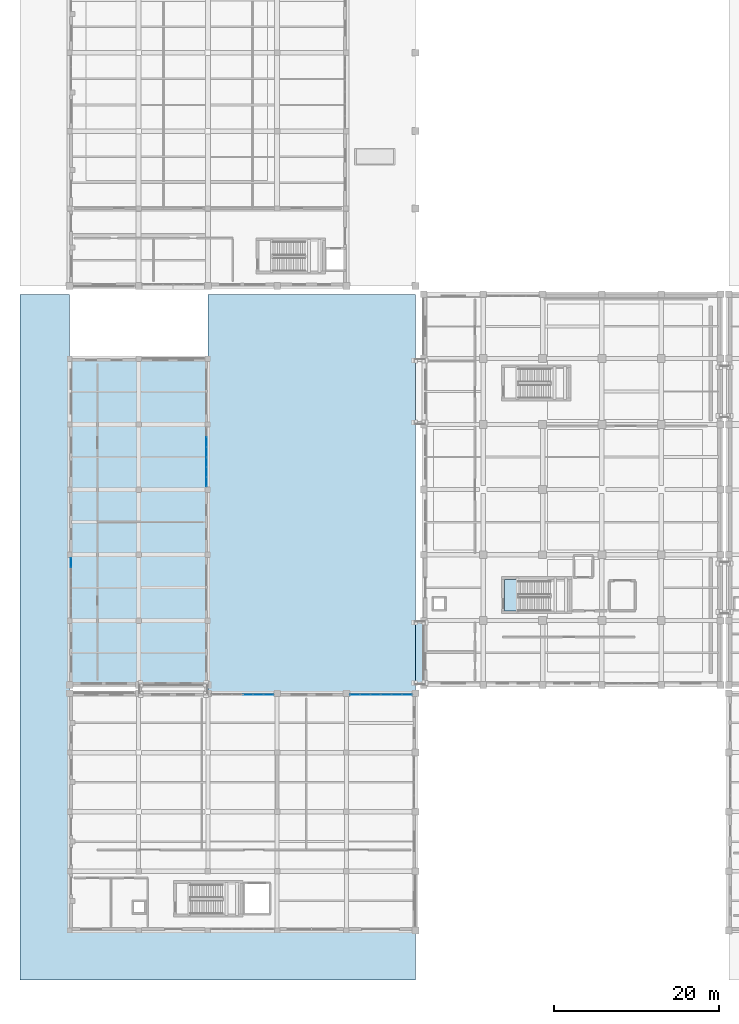
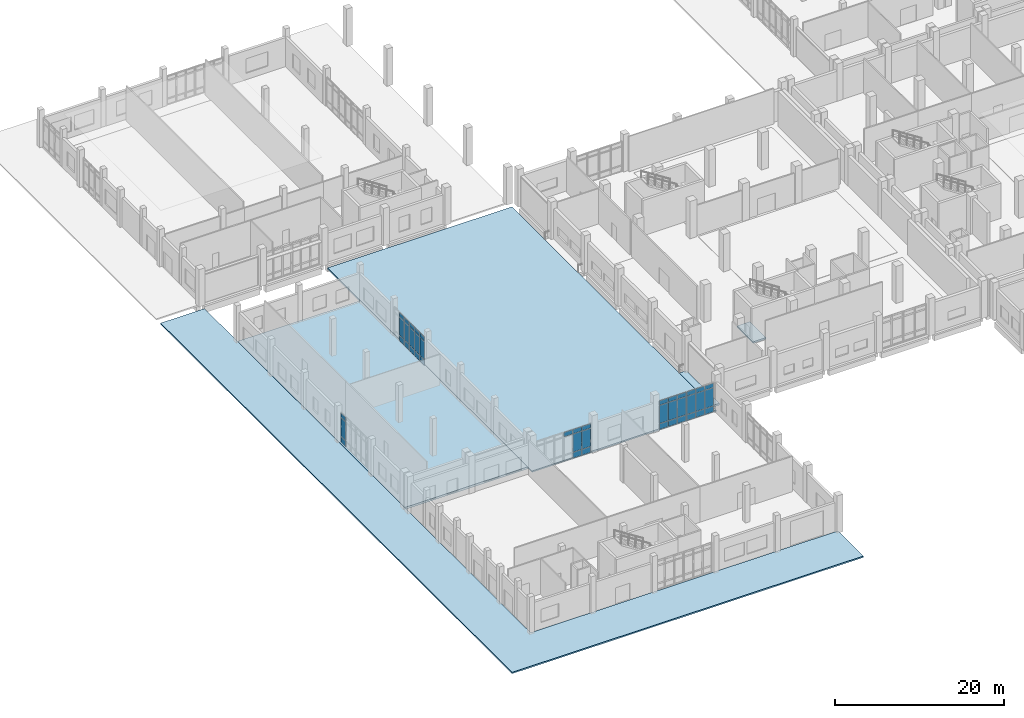
# One storey, part 40 of 79: 43 plates, 5 slabs, 6 elements without a shape of their own.
"""IFC4 building model written with IfcOpenShell, lengths in metres."""

from ifc_helpers import new_model, si_unit, direction, frame, origin, origin_2d, place, context, subcontext, project, spatial, polyline, rectangle, outline, extrude, material, layer, layer_set, type_object, element, aggregate, save


model = new_model("IFC4")

# Units and contexts
model_context = context("Model", 3, precision=1e-05, world=origin(), true_north=direction((0.0, 1.0)))
body_context = subcontext(model_context, "Body", "Model", "MODEL_VIEW")
ifc_project = project(units=[si_unit("LENGTHUNIT", "METRE"), si_unit("AREAUNIT", "SQUARE_METRE"), si_unit("VOLUMEUNIT", "CUBIC_METRE"), si_unit("PLANEANGLEUNIT", "RADIAN"), si_unit("MASSUNIT", "GRAM", prefix="KILO")], contexts=[model_context])

# Site, building, storey
site_placement = place(None, origin())
site = spatial("IfcSite", under=ifc_project, at=site_placement, CompositionType="ELEMENT")
building_placement = place(site_placement, origin())
building = spatial("IfcBuilding", under=site, at=building_placement, Name="Kelarvand Opera House", CompositionType="ELEMENT")
storey_placement = place(building_placement, origin())
storey = spatial("IfcBuildingStorey", under=building, at=storey_placement, Name="L00", CompositionType="ELEMENT", Elevation=0.0)

# Slab
ifc_material_1 = material(Name="Concrete C35/45", Category="concrete")
ifc_layer_1 = layer(ifc_material_1, 0.219970703125, Name="Concrete C35/45", Category="concrete")
ifc_layer_set_1 = layer_set([ifc_layer_1], Name="Concrete C35/45")
slab_type_1 = type_object("IfcSlabType", Name="Core Stair Entry Landing Slab 220", PredefinedType="LANDING", material=ifc_layer_set_1)
slab_1_placement = place(storey_placement, frame((0.0, 0.0, -0.219970703125)))
element("IfcSlab", 1, at=slab_1_placement, inside=storey, type_object=slab_type_1, Name="C2 Stair Entry Landing L00", PredefinedType="LANDING", context=body_context, shape_type="SweptSolid", body=[
    extrude(outline(polyline([(61.800048828125, 47.800048828125), (63.52001953125, 47.800048828125), (63.52001953125, 51.60009765625), (61.800048828125, 51.60009765625), (61.800048828125, 47.800048828125)])), origin(), (0.0, 0.0, 1.0), 0.219970703125),
])

# Curtain wall, plates
ifc_material_2 = material(Name="Thermally broken aluminium and low-E glazing", Category="aluminium")
ifc_layer_2 = layer(ifc_material_2, 0.179931640625, Name="Thermally broken aluminium and low-E glazing", Category="aluminium")
ifc_layer_set_2 = layer_set([ifc_layer_2], Name="Thermally broken aluminium and low-E glazing")
curtain_wall_type_1 = type_object("IfcCurtainWallType", Name="Unitised Low-E Curtain Wall 3776x4250 Mod 1350 CWF-23", PredefinedType="USERDEFINED", material=ifc_layer_set_2)
curtain_wall_1_placement = place(storey_placement, origin())
curtain_wall_1 = element("IfcCurtainWall", 2, at=curtain_wall_1_placement, inside=storey, type_object=curtain_wall_type_1, Name="V4 L00 Curtain Wall CWF-23 (108)", ObjectType="UNITISED CURTAIN WALL", PredefinedType="USERDEFINED")
ifc_material_3 = material(Name="Low-E laminated double glazing", Category="glass")
ifc_layer_3 = layer(ifc_material_3, 0.031982421875, Name="Low-E laminated double glazing", Category="glass")
ifc_layer_set_3 = layer_set([ifc_layer_3], Name="Low-E laminated double glazing")
plate_type = type_object("IfcPlateType", Name="Low-E Argon Double Glazed Curtain Panel 32mm", PredefinedType="CURTAIN_PANEL", material=ifc_layer_set_3)
plate_1_placement = place(storey_placement, frame((30.646240234375, 37.6201171875, 3.58251953125), z_axis=(0.0, 0.0, 1.0), x_axis=(1.0, 0.0, 0.0)))
plate_1 = element("IfcPlate", 3, at=plate_1_placement, type_object=plate_type, Name="CWF-23 panel 1.3", PredefinedType="CURTAIN_PANEL", context=body_context, shape_type="SweptSolid", body=[
    extrude(rectangle(XDim=1.16259765625, YDim=0.031982421875, at=origin_2d()), origin(), (0.0, 0.0, 1.0), 0.6025390625),
])
plate_2_placement = place(storey_placement, frame((31.889892578125, 37.6201171875, 0.06494140625), z_axis=(0.0, 0.0, 1.0), x_axis=(1.0, 0.0, 0.0)))
plate_2 = element("IfcPlate", 4, at=plate_2_placement, type_object=plate_type, Name="CWF-23 panel 2.1", PredefinedType="CURTAIN_PANEL", context=body_context, shape_type="SweptSolid", body=[
    extrude(rectangle(XDim=1.195068359375, YDim=0.031982421875, at=origin_2d()), origin(), (0.0, 0.0, 1.0), 0.802490234375),
])
plate_3_placement = place(storey_placement, frame((31.889892578125, 37.6201171875, 0.9326171875), z_axis=(0.0, 0.0, 1.0), x_axis=(1.0, 0.0, 0.0)))
plate_3 = element("IfcPlate", 5, at=plate_3_placement, type_object=plate_type, Name="CWF-23 panel 2.2", PredefinedType="CURTAIN_PANEL", context=body_context, shape_type="SweptSolid", body=[
    extrude(rectangle(XDim=1.195068359375, YDim=0.031982421875, at=origin_2d()), origin(), (0.0, 0.0, 1.0), 2.5849609375),
])
plate_4_placement = place(storey_placement, frame((31.889892578125, 37.6201171875, 3.58251953125), z_axis=(0.0, 0.0, 1.0), x_axis=(1.0, 0.0, 0.0)))
plate_4 = element("IfcPlate", 6, at=plate_4_placement, type_object=plate_type, Name="CWF-23 panel 2.3", PredefinedType="CURTAIN_PANEL", context=body_context, shape_type="SweptSolid", body=[
    extrude(rectangle(XDim=1.195068359375, YDim=0.031982421875, at=origin_2d()), origin(), (0.0, 0.0, 1.0), 0.6025390625),
])
plate_5_placement = place(storey_placement, frame((33.1337890625, 37.6201171875, 0.06494140625), z_axis=(0.0, 0.0, 1.0), x_axis=(1.0, 0.0, 0.0)))
plate_5 = element("IfcPlate", 7, at=plate_5_placement, type_object=plate_type, Name="CWF-23 panel 3.1", PredefinedType="CURTAIN_PANEL", context=body_context, shape_type="SweptSolid", body=[
    extrude(rectangle(XDim=1.16259765625, YDim=0.031982421875, at=origin_2d()), origin(), (0.0, 0.0, 1.0), 0.802490234375),
])
plate_6_placement = place(storey_placement, frame((33.1337890625, 37.6201171875, 0.9326171875), z_axis=(0.0, 0.0, 1.0), x_axis=(1.0, 0.0, 0.0)))
plate_6 = element("IfcPlate", 8, at=plate_6_placement, type_object=plate_type, Name="CWF-23 panel 3.2", PredefinedType="CURTAIN_PANEL", context=body_context, shape_type="SweptSolid", body=[
    extrude(rectangle(XDim=1.16259765625, YDim=0.031982421875, at=origin_2d()), origin(), (0.0, 0.0, 1.0), 2.5849609375),
])
plate_7_placement = place(storey_placement, frame((33.1337890625, 37.6201171875, 3.58251953125), z_axis=(0.0, 0.0, 1.0), x_axis=(1.0, 0.0, 0.0)))
plate_7 = element("IfcPlate", 9, at=plate_7_placement, type_object=plate_type, Name="CWF-23 panel 3.3", PredefinedType="CURTAIN_PANEL", context=body_context, shape_type="SweptSolid", body=[
    extrude(rectangle(XDim=1.16259765625, YDim=0.031982421875, at=origin_2d()), origin(), (0.0, 0.0, 1.0), 0.6025390625),
])
aggregate(curtain_wall_1, [plate_1, plate_2, plate_3, plate_4, plate_5, plate_6, plate_7])

curtain_wall_2_placement = place(storey_placement, origin())
curtain_wall_2 = element("IfcCurtainWall", 10, at=curtain_wall_2_placement, inside=storey, type_object=curtain_wall_type_1, Name="V4 L00 Curtain Wall CWF-23 (109)", ObjectType="UNITISED CURTAIN WALL", PredefinedType="USERDEFINED")
plate_8_placement = place(storey_placement, frame((43.66552734375, 37.6201171875, 0.06494140625), z_axis=(0.0, 0.0, 1.0), x_axis=(1.0, 0.0, 0.0)))
plate_8 = element("IfcPlate", 11, at=plate_8_placement, type_object=plate_type, Name="CWF-23 panel 1.1", PredefinedType="CURTAIN_PANEL", context=body_context, shape_type="SweptSolid", body=[
    extrude(rectangle(XDim=1.1611328125, YDim=0.031982421875, at=origin_2d()), origin(), (0.0, 0.0, 1.0), 0.802490234375),
])
plate_9_placement = place(storey_placement, frame((43.66552734375, 37.6201171875, 0.9326171875), z_axis=(0.0, 0.0, 1.0), x_axis=(1.0, 0.0, 0.0)))
plate_9 = element("IfcPlate", 12, at=plate_9_placement, type_object=plate_type, Name="CWF-23 panel 1.2", PredefinedType="CURTAIN_PANEL", context=body_context, shape_type="SweptSolid", body=[
    extrude(rectangle(XDim=1.1611328125, YDim=0.031982421875, at=origin_2d()), origin(), (0.0, 0.0, 1.0), 2.5849609375),
])
plate_10_placement = place(storey_placement, frame((43.66552734375, 37.6201171875, 3.58251953125), z_axis=(0.0, 0.0, 1.0), x_axis=(1.0, 0.0, 0.0)))
plate_10 = element("IfcPlate", 13, at=plate_10_placement, type_object=plate_type, Name="CWF-23 panel 1.3", PredefinedType="CURTAIN_PANEL", context=body_context, shape_type="SweptSolid", body=[
    extrude(rectangle(XDim=1.1611328125, YDim=0.031982421875, at=origin_2d()), origin(), (0.0, 0.0, 1.0), 0.6025390625),
])
plate_11_placement = place(storey_placement, frame((44.907958984375, 37.6201171875, 0.06494140625), z_axis=(0.0, 0.0, 1.0), x_axis=(1.0, 0.0, 0.0)))
plate_11 = element("IfcPlate", 14, at=plate_11_placement, type_object=plate_type, Name="CWF-23 panel 2.1", PredefinedType="CURTAIN_PANEL", context=body_context, shape_type="SweptSolid", body=[
    extrude(rectangle(XDim=1.193603515625, YDim=0.031982421875, at=origin_2d()), origin(), (0.0, 0.0, 1.0), 0.802490234375),
])
plate_12_placement = place(storey_placement, frame((44.907958984375, 37.6201171875, 0.9326171875), z_axis=(0.0, 0.0, 1.0), x_axis=(1.0, 0.0, 0.0)))
plate_12 = element("IfcPlate", 15, at=plate_12_placement, type_object=plate_type, Name="CWF-23 panel 2.2", PredefinedType="CURTAIN_PANEL", context=body_context, shape_type="SweptSolid", body=[
    extrude(rectangle(XDim=1.193603515625, YDim=0.031982421875, at=origin_2d()), origin(), (0.0, 0.0, 1.0), 2.5849609375),
])
plate_13_placement = place(storey_placement, frame((44.907958984375, 37.6201171875, 3.58251953125), z_axis=(0.0, 0.0, 1.0), x_axis=(1.0, 0.0, 0.0)))
plate_13 = element("IfcPlate", 16, at=plate_13_placement, type_object=plate_type, Name="CWF-23 panel 2.3", PredefinedType="CURTAIN_PANEL", context=body_context, shape_type="SweptSolid", body=[
    extrude(rectangle(XDim=1.193603515625, YDim=0.031982421875, at=origin_2d()), origin(), (0.0, 0.0, 1.0), 0.6025390625),
])
plate_14_placement = place(storey_placement, frame((46.150390625, 37.6201171875, 0.06494140625), z_axis=(0.0, 0.0, 1.0), x_axis=(1.0, 0.0, 0.0)))
plate_14 = element("IfcPlate", 17, at=plate_14_placement, type_object=plate_type, Name="CWF-23 panel 3.1", PredefinedType="CURTAIN_PANEL", context=body_context, shape_type="SweptSolid", body=[
    extrude(rectangle(XDim=1.1611328125, YDim=0.031982421875, at=origin_2d()), origin(), (0.0, 0.0, 1.0), 0.802490234375),
])
plate_15_placement = place(storey_placement, frame((46.150390625, 37.6201171875, 0.9326171875), z_axis=(0.0, 0.0, 1.0), x_axis=(1.0, 0.0, 0.0)))
plate_15 = element("IfcPlate", 18, at=plate_15_placement, type_object=plate_type, Name="CWF-23 panel 3.2", PredefinedType="CURTAIN_PANEL", context=body_context, shape_type="SweptSolid", body=[
    extrude(rectangle(XDim=1.1611328125, YDim=0.031982421875, at=origin_2d()), origin(), (0.0, 0.0, 1.0), 2.5849609375),
])
plate_16_placement = place(storey_placement, frame((46.150390625, 37.6201171875, 3.58251953125), z_axis=(0.0, 0.0, 1.0), x_axis=(1.0, 0.0, 0.0)))
plate_16 = element("IfcPlate", 19, at=plate_16_placement, type_object=plate_type, Name="CWF-23 panel 3.3", PredefinedType="CURTAIN_PANEL", context=body_context, shape_type="SweptSolid", body=[
    extrude(rectangle(XDim=1.1611328125, YDim=0.031982421875, at=origin_2d()), origin(), (0.0, 0.0, 1.0), 0.6025390625),
])
aggregate(curtain_wall_2, [plate_8, plate_9, plate_10, plate_11, plate_12, plate_13, plate_14, plate_15, plate_16])

curtain_wall_3_placement = place(storey_placement, origin())
curtain_wall_3 = element("IfcCurtainWall", 20, at=curtain_wall_3_placement, inside=storey, type_object=curtain_wall_type_1, Name="V4 L00 Curtain Wall CWF-23 (110)", ObjectType="UNITISED CURTAIN WALL", PredefinedType="USERDEFINED")
plate_17_placement = place(storey_placement, frame((47.4462890625, 37.6201171875, 0.06494140625), z_axis=(0.0, 0.0, 1.0), x_axis=(1.0, 0.0, 0.0)))
plate_17 = element("IfcPlate", 21, at=plate_17_placement, type_object=plate_type, Name="CWF-23 panel 1.1", PredefinedType="CURTAIN_PANEL", context=body_context, shape_type="SweptSolid", body=[
    extrude(rectangle(XDim=1.16259765625, YDim=0.031982421875, at=origin_2d()), origin(), (0.0, 0.0, 1.0), 0.802490234375),
])
plate_18_placement = place(storey_placement, frame((47.4462890625, 37.6201171875, 0.9326171875), z_axis=(0.0, 0.0, 1.0), x_axis=(1.0, 0.0, 0.0)))
plate_18 = element("IfcPlate", 22, at=plate_18_placement, type_object=plate_type, Name="CWF-23 panel 1.2", PredefinedType="CURTAIN_PANEL", context=body_context, shape_type="SweptSolid", body=[
    extrude(rectangle(XDim=1.16259765625, YDim=0.031982421875, at=origin_2d()), origin(), (0.0, 0.0, 1.0), 2.5849609375),
])
plate_19_placement = place(storey_placement, frame((47.4462890625, 37.6201171875, 3.58251953125), z_axis=(0.0, 0.0, 1.0), x_axis=(1.0, 0.0, 0.0)))
plate_19 = element("IfcPlate", 23, at=plate_19_placement, type_object=plate_type, Name="CWF-23 panel 1.3", PredefinedType="CURTAIN_PANEL", context=body_context, shape_type="SweptSolid", body=[
    extrude(rectangle(XDim=1.16259765625, YDim=0.031982421875, at=origin_2d()), origin(), (0.0, 0.0, 1.0), 0.6025390625),
])
plate_20_placement = place(storey_placement, frame((48.68994140625, 37.6201171875, 0.06494140625), z_axis=(0.0, 0.0, 1.0), x_axis=(1.0, 0.0, 0.0)))
plate_20 = element("IfcPlate", 24, at=plate_20_placement, type_object=plate_type, Name="CWF-23 panel 2.1", PredefinedType="CURTAIN_PANEL", context=body_context, shape_type="SweptSolid", body=[
    extrude(rectangle(XDim=1.195068359375, YDim=0.031982421875, at=origin_2d()), origin(), (0.0, 0.0, 1.0), 0.802490234375),
])
plate_21_placement = place(storey_placement, frame((48.68994140625, 37.6201171875, 0.9326171875), z_axis=(0.0, 0.0, 1.0), x_axis=(1.0, 0.0, 0.0)))
plate_21 = element("IfcPlate", 25, at=plate_21_placement, type_object=plate_type, Name="CWF-23 panel 2.2", PredefinedType="CURTAIN_PANEL", context=body_context, shape_type="SweptSolid", body=[
    extrude(rectangle(XDim=1.195068359375, YDim=0.031982421875, at=origin_2d()), origin(), (0.0, 0.0, 1.0), 2.5849609375),
])
plate_22_placement = place(storey_placement, frame((48.68994140625, 37.6201171875, 3.58251953125), z_axis=(0.0, 0.0, 1.0), x_axis=(1.0, 0.0, 0.0)))
plate_22 = element("IfcPlate", 26, at=plate_22_placement, type_object=plate_type, Name="CWF-23 panel 2.3", PredefinedType="CURTAIN_PANEL", context=body_context, shape_type="SweptSolid", body=[
    extrude(rectangle(XDim=1.195068359375, YDim=0.031982421875, at=origin_2d()), origin(), (0.0, 0.0, 1.0), 0.6025390625),
])
plate_23_placement = place(storey_placement, frame((49.933837890625, 37.6201171875, 0.06494140625), z_axis=(0.0, 0.0, 1.0), x_axis=(1.0, 0.0, 0.0)))
plate_23 = element("IfcPlate", 27, at=plate_23_placement, type_object=plate_type, Name="CWF-23 panel 3.1", PredefinedType="CURTAIN_PANEL", context=body_context, shape_type="SweptSolid", body=[
    extrude(rectangle(XDim=1.16259765625, YDim=0.031982421875, at=origin_2d()), origin(), (0.0, 0.0, 1.0), 0.802490234375),
])
plate_24_placement = place(storey_placement, frame((49.933837890625, 37.6201171875, 0.9326171875), z_axis=(0.0, 0.0, 1.0), x_axis=(1.0, 0.0, 0.0)))
plate_24 = element("IfcPlate", 28, at=plate_24_placement, type_object=plate_type, Name="CWF-23 panel 3.2", PredefinedType="CURTAIN_PANEL", context=body_context, shape_type="SweptSolid", body=[
    extrude(rectangle(XDim=1.16259765625, YDim=0.031982421875, at=origin_2d()), origin(), (0.0, 0.0, 1.0), 2.5849609375),
])
plate_25_placement = place(storey_placement, frame((49.933837890625, 37.6201171875, 3.58251953125), z_axis=(0.0, 0.0, 1.0), x_axis=(1.0, 0.0, 0.0)))
plate_25 = element("IfcPlate", 29, at=plate_25_placement, type_object=plate_type, Name="CWF-23 panel 3.3", PredefinedType="CURTAIN_PANEL", context=body_context, shape_type="SweptSolid", body=[
    extrude(rectangle(XDim=1.16259765625, YDim=0.031982421875, at=origin_2d()), origin(), (0.0, 0.0, 1.0), 0.6025390625),
])
aggregate(curtain_wall_3, [plate_17, plate_18, plate_19, plate_20, plate_21, plate_22, plate_23, plate_24, plate_25])

ifc_layer_4 = layer(ifc_material_2, 0.179931640625, Name="Thermally broken aluminium and low-E glazing", Category="aluminium")
ifc_layer_set_4 = layer_set([ifc_layer_4], Name="Thermally broken aluminium and low-E glazing")
curtain_wall_type_2 = type_object("IfcCurtainWallType", Name="Unitised Low-E Curtain Wall 3661x4350 Mod 1350 CWF-24", PredefinedType="USERDEFINED", material=ifc_layer_set_4)
curtain_wall_4_placement = place(storey_placement, origin())
curtain_wall_4 = element("IfcCurtainWall", 30, at=curtain_wall_4_placement, inside=storey, type_object=curtain_wall_type_2, Name="V4 L00 Curtain Wall CWF-24 (116)", ObjectType="UNITISED CURTAIN WALL", PredefinedType="USERDEFINED")
plate_26_placement = place(storey_placement, frame((9.179931640625, 53.637939453125, 0.06494140625), z_axis=(0.0, 0.0, 1.0), x_axis=(0.0, 1.0, 0.0)))
plate_26 = element("IfcPlate", 31, at=plate_26_placement, type_object=plate_type, Name="CWF-24 panel 3.1", PredefinedType="CURTAIN_PANEL", context=body_context, shape_type="SweptSolid", body=[
    extrude(rectangle(XDim=1.124267578125, YDim=0.031982421875, at=origin_2d()), origin(), (0.0, 0.0, 1.0), 0.802490234375),
])
plate_27_placement = place(storey_placement, frame((9.179931640625, 53.637939453125, 0.932373046875), z_axis=(0.0, 0.0, 1.0), x_axis=(0.0, 1.0, 0.0)))
plate_27 = element("IfcPlate", 32, at=plate_27_placement, type_object=plate_type, Name="CWF-24 panel 3.2", PredefinedType="CURTAIN_PANEL", context=body_context, shape_type="SweptSolid", body=[
    extrude(rectangle(XDim=1.124267578125, YDim=0.031982421875, at=origin_2d()), origin(), (0.0, 0.0, 1.0), 2.68505859375),
])
plate_28_placement = place(storey_placement, frame((9.179931640625, 53.637939453125, 3.682373046875), z_axis=(0.0, 0.0, 1.0), x_axis=(0.0, 1.0, 0.0)))
plate_28 = element("IfcPlate", 33, at=plate_28_placement, type_object=plate_type, Name="CWF-24 panel 3.3", PredefinedType="CURTAIN_PANEL", context=body_context, shape_type="SweptSolid", body=[
    extrude(rectangle(XDim=1.124267578125, YDim=0.031982421875, at=origin_2d()), origin(), (0.0, 0.0, 1.0), 0.6025390625),
])
aggregate(curtain_wall_4, [plate_26, plate_27, plate_28])

ifc_layer_5 = layer(ifc_material_2, 0.179931640625, Name="Thermally broken aluminium and low-E glazing", Category="aluminium")
ifc_layer_set_5 = layer_set([ifc_layer_5], Name="Thermally broken aluminium and low-E glazing")
curtain_wall_type_3 = type_object("IfcCurtainWallType", Name="Unitised Low-E Curtain Wall 3611x4250 Mod 1350 CWF-25", PredefinedType="USERDEFINED", material=ifc_layer_set_5)
curtain_wall_5_placement = place(storey_placement, origin())
curtain_wall_5 = element("IfcCurtainWall", 34, at=curtain_wall_5_placement, inside=storey, type_object=curtain_wall_type_3, Name="V4 L00 Curtain Wall CWF-25 (117)", ObjectType="UNITISED CURTAIN WALL", PredefinedType="USERDEFINED")
plate_29_placement = place(storey_placement, frame((25.6201171875, 68.259521484375, 0.06494140625), z_axis=(0.0, 0.0, 1.0), x_axis=(0.0, -1.0, 0.0)))
plate_29 = element("IfcPlate", 35, at=plate_29_placement, type_object=plate_type, Name="CWF-25 panel 2.1", PredefinedType="CURTAIN_PANEL", context=body_context, shape_type="SweptSolid", body=[
    extrude(rectangle(XDim=1.138671875, YDim=0.031982421875, at=origin_2d()), origin(), (0.0, 0.0, 1.0), 0.802490234375),
])
plate_30_placement = place(storey_placement, frame((25.6201171875, 68.259521484375, 0.9326171875), z_axis=(0.0, 0.0, 1.0), x_axis=(0.0, -1.0, 0.0)))
plate_30 = element("IfcPlate", 36, at=plate_30_placement, type_object=plate_type, Name="CWF-25 panel 2.2", PredefinedType="CURTAIN_PANEL", context=body_context, shape_type="SweptSolid", body=[
    extrude(rectangle(XDim=1.138671875, YDim=0.031982421875, at=origin_2d()), origin(), (0.0, 0.0, 1.0), 2.5849609375),
])
plate_31_placement = place(storey_placement, frame((25.6201171875, 68.259521484375, 3.58251953125), z_axis=(0.0, 0.0, 1.0), x_axis=(0.0, -1.0, 0.0)))
plate_31 = element("IfcPlate", 37, at=plate_31_placement, type_object=plate_type, Name="CWF-25 panel 2.3", PredefinedType="CURTAIN_PANEL", context=body_context, shape_type="SweptSolid", body=[
    extrude(rectangle(XDim=1.138671875, YDim=0.031982421875, at=origin_2d()), origin(), (0.0, 0.0, 1.0), 0.6025390625),
])
plate_32_placement = place(storey_placement, frame((25.6201171875, 67.072021484375, 0.06494140625), z_axis=(0.0, 0.0, 1.0), x_axis=(0.0, -1.0, 0.0)))
plate_32 = element("IfcPlate", 38, at=plate_32_placement, type_object=plate_type, Name="CWF-25 panel 3.1", PredefinedType="CURTAIN_PANEL", context=body_context, shape_type="SweptSolid", body=[
    extrude(rectangle(XDim=1.106201171875, YDim=0.031982421875, at=origin_2d()), origin(), (0.0, 0.0, 1.0), 0.802490234375),
])
plate_33_placement = place(storey_placement, frame((25.6201171875, 67.072021484375, 0.9326171875), z_axis=(0.0, 0.0, 1.0), x_axis=(0.0, -1.0, 0.0)))
plate_33 = element("IfcPlate", 39, at=plate_33_placement, type_object=plate_type, Name="CWF-25 panel 3.2", PredefinedType="CURTAIN_PANEL", context=body_context, shape_type="SweptSolid", body=[
    extrude(rectangle(XDim=1.106201171875, YDim=0.031982421875, at=origin_2d()), origin(), (0.0, 0.0, 1.0), 2.5849609375),
])
plate_34_placement = place(storey_placement, frame((25.6201171875, 67.072021484375, 3.58251953125), z_axis=(0.0, 0.0, 1.0), x_axis=(0.0, -1.0, 0.0)))
plate_34 = element("IfcPlate", 40, at=plate_34_placement, type_object=plate_type, Name="CWF-25 panel 3.3", PredefinedType="CURTAIN_PANEL", context=body_context, shape_type="SweptSolid", body=[
    extrude(rectangle(XDim=1.106201171875, YDim=0.031982421875, at=origin_2d()), origin(), (0.0, 0.0, 1.0), 0.6025390625),
])
aggregate(curtain_wall_5, [plate_29, plate_30, plate_31, plate_32, plate_33, plate_34])

curtain_wall_6_placement = place(storey_placement, origin())
curtain_wall_6 = element("IfcCurtainWall", 41, at=curtain_wall_6_placement, inside=storey, type_object=curtain_wall_type_3, Name="V4 L00 Curtain Wall CWF-25 (118)", ObjectType="UNITISED CURTAIN WALL", PredefinedType="USERDEFINED")
plate_35_placement = place(storey_placement, frame((25.6201171875, 65.831298828125, 0.06494140625), z_axis=(0.0, 0.0, 1.0), x_axis=(0.0, -1.0, 0.0)))
plate_35 = element("IfcPlate", 42, at=plate_35_placement, type_object=plate_type, Name="CWF-25 panel 1.1", PredefinedType="CURTAIN_PANEL", context=body_context, shape_type="SweptSolid", body=[
    extrude(rectangle(XDim=1.107421875, YDim=0.031982421875, at=origin_2d()), origin(), (0.0, 0.0, 1.0), 0.802490234375),
])
plate_36_placement = place(storey_placement, frame((25.6201171875, 65.831298828125, 0.9326171875), z_axis=(0.0, 0.0, 1.0), x_axis=(0.0, -1.0, 0.0)))
plate_36 = element("IfcPlate", 43, at=plate_36_placement, type_object=plate_type, Name="CWF-25 panel 1.2", PredefinedType="CURTAIN_PANEL", context=body_context, shape_type="SweptSolid", body=[
    extrude(rectangle(XDim=1.107421875, YDim=0.031982421875, at=origin_2d()), origin(), (0.0, 0.0, 1.0), 2.5849609375),
])
plate_37_placement = place(storey_placement, frame((25.6201171875, 65.831298828125, 3.58251953125), z_axis=(0.0, 0.0, 1.0), x_axis=(0.0, -1.0, 0.0)))
plate_37 = element("IfcPlate", 44, at=plate_37_placement, type_object=plate_type, Name="CWF-25 panel 1.3", PredefinedType="CURTAIN_PANEL", context=body_context, shape_type="SweptSolid", body=[
    extrude(rectangle(XDim=1.107421875, YDim=0.031982421875, at=origin_2d()), origin(), (0.0, 0.0, 1.0), 0.6025390625),
])
plate_38_placement = place(storey_placement, frame((25.6201171875, 64.642578125, 0.06494140625), z_axis=(0.0, 0.0, 1.0), x_axis=(0.0, -1.0, 0.0)))
plate_38 = element("IfcPlate", 45, at=plate_38_placement, type_object=plate_type, Name="CWF-25 panel 2.1", PredefinedType="CURTAIN_PANEL", context=body_context, shape_type="SweptSolid", body=[
    extrude(rectangle(XDim=1.139892578125, YDim=0.031982421875, at=origin_2d()), origin(), (0.0, 0.0, 1.0), 0.802490234375),
])
plate_39_placement = place(storey_placement, frame((25.6201171875, 64.642578125, 0.9326171875), z_axis=(0.0, 0.0, 1.0), x_axis=(0.0, -1.0, 0.0)))
plate_39 = element("IfcPlate", 46, at=plate_39_placement, type_object=plate_type, Name="CWF-25 panel 2.2", PredefinedType="CURTAIN_PANEL", context=body_context, shape_type="SweptSolid", body=[
    extrude(rectangle(XDim=1.139892578125, YDim=0.031982421875, at=origin_2d()), origin(), (0.0, 0.0, 1.0), 2.5849609375),
])
plate_40_placement = place(storey_placement, frame((25.6201171875, 64.642578125, 3.58251953125), z_axis=(0.0, 0.0, 1.0), x_axis=(0.0, -1.0, 0.0)))
plate_40 = element("IfcPlate", 47, at=plate_40_placement, type_object=plate_type, Name="CWF-25 panel 2.3", PredefinedType="CURTAIN_PANEL", context=body_context, shape_type="SweptSolid", body=[
    extrude(rectangle(XDim=1.139892578125, YDim=0.031982421875, at=origin_2d()), origin(), (0.0, 0.0, 1.0), 0.6025390625),
])
plate_41_placement = place(storey_placement, frame((25.6201171875, 63.453857421875, 0.06494140625), z_axis=(0.0, 0.0, 1.0), x_axis=(0.0, -1.0, 0.0)))
plate_41 = element("IfcPlate", 48, at=plate_41_placement, type_object=plate_type, Name="CWF-25 panel 3.1", PredefinedType="CURTAIN_PANEL", context=body_context, shape_type="SweptSolid", body=[
    extrude(rectangle(XDim=1.107421875, YDim=0.031982421875, at=origin_2d()), origin(), (0.0, 0.0, 1.0), 0.802490234375),
])
plate_42_placement = place(storey_placement, frame((25.6201171875, 63.453857421875, 0.9326171875), z_axis=(0.0, 0.0, 1.0), x_axis=(0.0, -1.0, 0.0)))
plate_42 = element("IfcPlate", 49, at=plate_42_placement, type_object=plate_type, Name="CWF-25 panel 3.2", PredefinedType="CURTAIN_PANEL", context=body_context, shape_type="SweptSolid", body=[
    extrude(rectangle(XDim=1.107421875, YDim=0.031982421875, at=origin_2d()), origin(), (0.0, 0.0, 1.0), 2.5849609375),
])
plate_43_placement = place(storey_placement, frame((25.6201171875, 63.453857421875, 3.58251953125), z_axis=(0.0, 0.0, 1.0), x_axis=(0.0, -1.0, 0.0)))
plate_43 = element("IfcPlate", 50, at=plate_43_placement, type_object=plate_type, Name="CWF-25 panel 3.3", PredefinedType="CURTAIN_PANEL", context=body_context, shape_type="SweptSolid", body=[
    extrude(rectangle(XDim=1.107421875, YDim=0.031982421875, at=origin_2d()), origin(), (0.0, 0.0, 1.0), 0.6025390625),
])
aggregate(curtain_wall_6, [plate_35, plate_36, plate_37, plate_38, plate_39, plate_40, plate_41, plate_42, plate_43])

# Slabs
ifc_layer_6 = layer(ifc_material_1, 0.260009765625, Name="Concrete C35/45", Category="concrete")
ifc_layer_set_6 = layer_set([ifc_layer_6], Name="Concrete C35/45")
slab_type_2 = type_object("IfcSlabType", Name="Seismic Bridge Deck Slab 260", PredefinedType="FLOOR", material=ifc_layer_set_6)
slab_2_placement = place(storey_placement, frame((0.0, 0.0, -0.260009765625)))
element("IfcSlab", 51, at=slab_2_placement, inside=storey, type_object=slab_type_2, Name="Seismic Joint Sliding Bridge BR-JW-S L00", PredefinedType="FLOOR", context=body_context, shape_type="SweptSolid", body=[
    extrude(outline(polyline([(51.0, 38.800048828125), (52.0, 38.800048828125), (52.0, 46.60009765625), (51.0, 46.60009765625), (51.0, 38.800048828125)])), origin(), (0.0, 0.0, 1.0), 0.260009765625),
])
ifc_layer_7 = layer(ifc_material_1, 0.199951171875, Name="Concrete C35/45", Category="concrete")
ifc_layer_set_7 = layer_set([ifc_layer_7], Name="Concrete C35/45")
slab_type_3 = type_object("IfcSlabType", Name="Site Entrance and Apron Paving 200", PredefinedType="USERDEFINED", material=ifc_layer_set_7)
slab_3_placement = place(storey_placement, frame((0.0, 0.0, -0.199951171875)))
element("IfcSlab", 52, at=slab_3_placement, inside=storey, type_object=slab_type_3, Name="Exterior Pav Sw V4 Wrap", ObjectType="PAVING", PredefinedType="USERDEFINED", context=body_context, shape_type="SweptSolid", body=[
    extrude(outline(polyline([(3.0, 3.0), (51.0, 3.0), (51.0, 9.0), (9.0, 9.0), (9.0, 86.199951171875), (3.0, 86.199951171875), (3.0, 3.0)])), origin(), (0.0, 0.0, 1.0), 0.199951171875),
])
slab_4_placement = place(storey_placement, frame((0.0, 0.0, -0.199951171875)))
element("IfcSlab", 53, at=slab_4_placement, inside=storey, type_object=slab_type_3, Name="Exterior Pav West V4 Court", ObjectType="PAVING", PredefinedType="USERDEFINED", context=body_context, shape_type="SweptSolid", body=[
    extrude(outline(polyline([(25.800048828125, 37.800048828125), (51.0, 37.800048828125), (51.0, 86.199951171875), (25.800048828125, 86.199951171875), (25.800048828125, 37.800048828125)])), origin(), (0.0, 0.0, 1.0), 0.199951171875),
])
ifc_layer_8 = layer(ifc_material_1, 0.300048828125, Name="Concrete C35/45", Category="concrete")
ifc_layer_set_8 = layer_set([ifc_layer_8], Name="Concrete C35/45")
slab_type_4 = type_object("IfcSlabType", Name="Suspended Floor Slab 300", PredefinedType="FLOOR", material=ifc_layer_set_8)
slab_5_placement = place(storey_placement, frame((0.0, 0.0, -0.300048828125)))
element("IfcSlab", 54, at=slab_5_placement, inside=storey, type_object=slab_type_4, Name="V4 L00 Structural Slab 29", PredefinedType="FLOOR", context=body_context, shape_type="SweptSolid", body=[
    extrude(outline(polyline([(9.0, 38.800048828125), (9.0, 78.39990234375), (25.800048828125, 78.39990234375), (25.800048828125, 38.800048828125), (9.0, 38.800048828125)])), origin(), (0.0, 0.0, 1.0), 0.300048828125),
])

save(model, "model.ifc")
